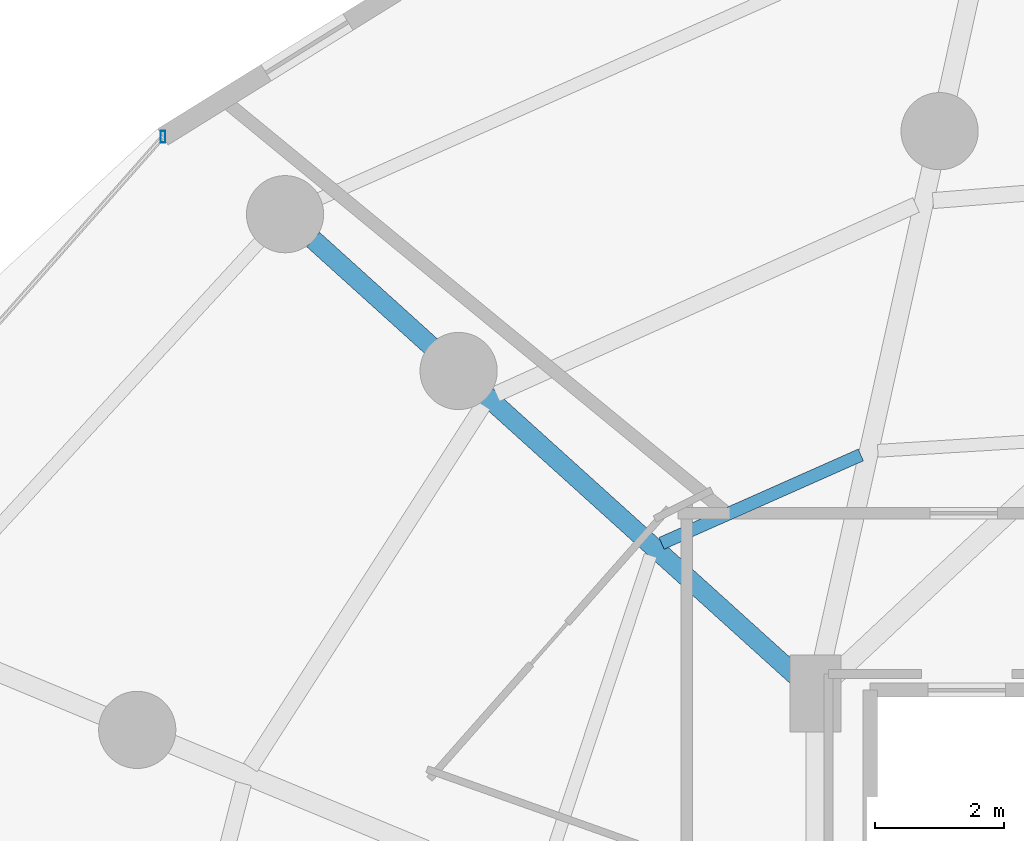
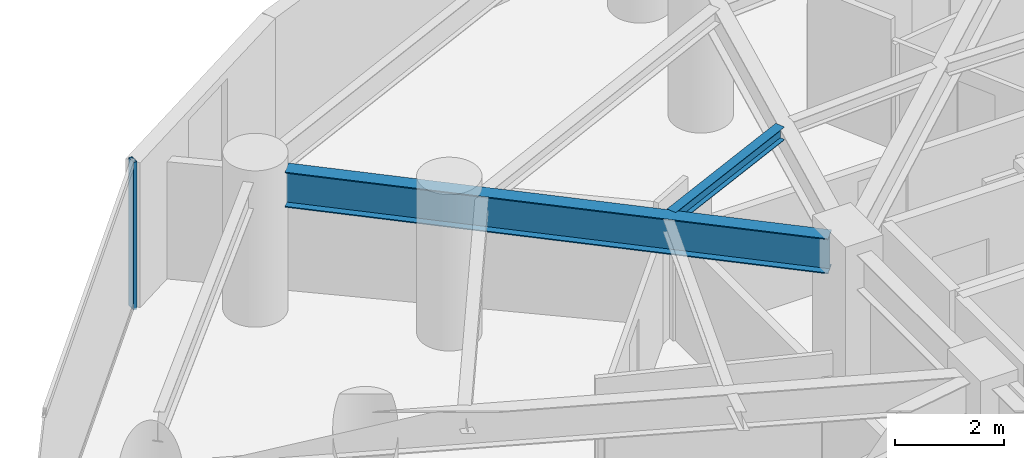
# One storey, part 16 of 30: 2 beams, 1 member, 1 element without a shape of its own.
"""IFC4 building model written with IfcOpenShell, lengths in metres."""

from ifc_helpers import new_model, si_unit, direction, frame, origin, origin_2d, place, context, subcontext, project, spatial, hollow_rectangle, i_section, extrude, material, material_profile, profile_set, type_object, element, aggregate, save


model = new_model("IFC4")

# Units and contexts
model_context = context("Model", 3, precision=1e-05, world=origin(), true_north=direction((0.0, 1.0)))
body_context = subcontext(model_context, "Body", "Model", "MODEL_VIEW")
ifc_project = project(units=[si_unit("LENGTHUNIT", "METRE"), si_unit("AREAUNIT", "SQUARE_METRE"), si_unit("VOLUMEUNIT", "CUBIC_METRE"), si_unit("PLANEANGLEUNIT", "RADIAN"), si_unit("MASSUNIT", "GRAM", prefix="KILO")], contexts=[model_context])

# Site, building, storey
site_placement = place(None, origin())
site = spatial("IfcSite", under=ifc_project, at=site_placement, CompositionType="ELEMENT")
building_placement = place(site_placement, origin())
building = spatial("IfcBuilding", under=site, at=building_placement, Name="Vorneva Point Tower", CompositionType="ELEMENT")
storey_placement = place(building_placement, frame((0.0, 0.0, 55.5)))
storey = spatial("IfcBuildingStorey", under=building, at=storey_placement, Name="L14", CompositionType="ELEMENT", Elevation=55.5)

# Beams
ifc_material_1 = material(Name="Steel S355", Category="steel")
ifc_material_profile_1 = material_profile(ifc_material_1, i_section(OverallWidth=0.300048828125, OverallDepth=0.7880859375, WebThickness=0.014404296875, FlangeThickness=0.02197265625, at=origin_2d()), Name="80Sh1")
ifc_profile_set_1 = profile_set([ifc_material_profile_1], Name="Steel S355")
beam_type_1 = type_object("IfcBeamType", Name="BM-GRD-80Sh1", PredefinedType="USERDEFINED", material=ifc_profile_set_1)
beam_1_placement = place(storey_placement, frame((19.43896484375, 40.205810546875, 2.845947265625), z_axis=(0.742076105577, -0.670315637243, 0.0), x_axis=(0.670315637243, 0.742076105577, 0.0)))
element("IfcBeam", 1, at=beam_1_placement, inside=storey, type_object=beam_type_1, Name="L14 Radial Primary Girder 07", ObjectType="GIRDER", PredefinedType="USERDEFINED", context=body_context, shape_type="SweptSolid", body=[
    extrude(i_section(OverallWidth=0.300048828125, OverallDepth=0.7880859375, WebThickness=0.014404296875, FlangeThickness=0.02197265625, at=origin_2d()), origin(), (0.0, 0.0, 1.0), 10.18603515625),
])
ifc_material_profile_2 = material_profile(ifc_material_1, i_section(OverallWidth=0.199951171875, OverallDepth=0.291015625, WebThickness=0.008056640625, FlangeThickness=0.010986328125, at=origin_2d()), Name="30Sh1")
ifc_profile_set_2 = profile_set([ifc_material_profile_2], Name="Steel S355")
beam_type_2 = type_object("IfcBeamType", Name="BM-SEC-30Sh1", PredefinedType="BEAM", material=ifc_profile_set_2)
beam_2_placement = place(storey_placement, frame((27.954345703125, 36.856689453125, 3.094482421875), z_axis=(-0.914078683752, -0.405536878607, 0.0), x_axis=(0.405536878607, -0.914078683752, 0.0)))
element("IfcBeam", 2, at=beam_2_placement, inside=storey, type_object=beam_type_2, Name="L14 Secondary Floor Beam 2.06", PredefinedType="BEAM", context=body_context, shape_type="SweptSolid", body=[
    extrude(i_section(OverallWidth=0.199951171875, OverallDepth=0.291015625, WebThickness=0.008056640625, FlangeThickness=0.010986328125, at=origin_2d()), origin(), (0.0, 0.0, 1.0), 3.389404296875),
])

# Curtain wall, member
ifc_material_2 = material(Name="Pale anodised aluminium", Category="aluminium")
curtain_wall_type = type_object("IfcCurtainWallType", Name="CW-HTL-SYS", PredefinedType="NOTDEFINED", material=ifc_material_2)
curtain_wall_placement = place(storey_placement, origin())
curtain_wall = element("IfcCurtainWall", 3, at=curtain_wall_placement, inside=storey, type_object=curtain_wall_type, Name="L14 Unitised Curtain Wall CW-L14-R03", PredefinedType="NOTDEFINED")
ifc_material_profile_3 = material_profile(ifc_material_2, hollow_rectangle(XDim=0.074951171875, YDim=0.179931640625, WallThickness=0.00390625, at=origin_2d()), Name="AL-MUL 180x75x4")
ifc_profile_set_3 = profile_set([ifc_material_profile_3], Name="Pale anodised aluminium")
member_type = type_object("IfcMemberType", Name="CW-MUL-180", PredefinedType="MULLION", material=ifc_profile_set_3)
member_placement = place(storey_placement, frame((17.10498046875, 41.8037109375, -0.0400390625), z_axis=(0.0, 0.0, 1.0), x_axis=(1.0, 0.0, 0.0)))
member = element("IfcMember", 4, at=member_placement, type_object=member_type, Name="CW-L14-R03 Mullion 01", PredefinedType="MULLION", context=body_context, shape_type="SweptSolid", body=[
    extrude(hollow_rectangle(XDim=0.074951171875, YDim=0.179931640625, WallThickness=0.00390625, at=origin_2d()), origin(), (0.0, 0.0, 1.0), 3.31005859375),
])
aggregate(curtain_wall, [member])

save(model, "model.ifc")
